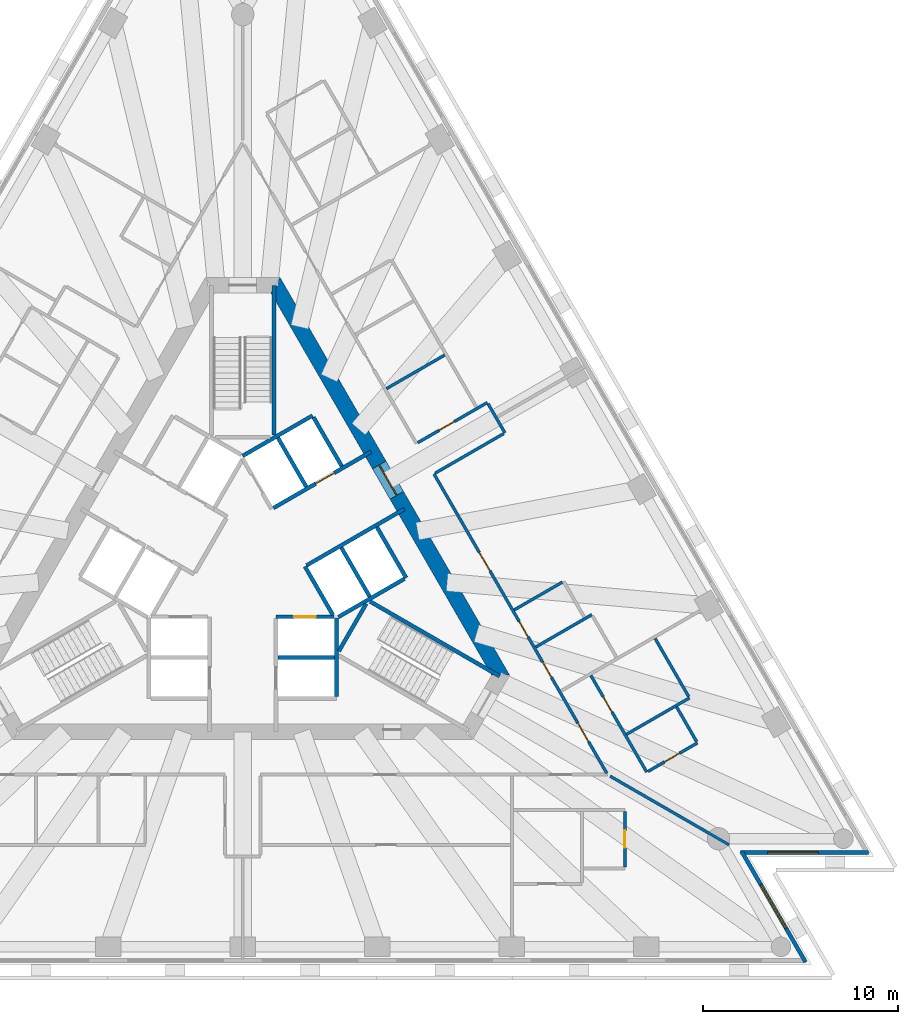
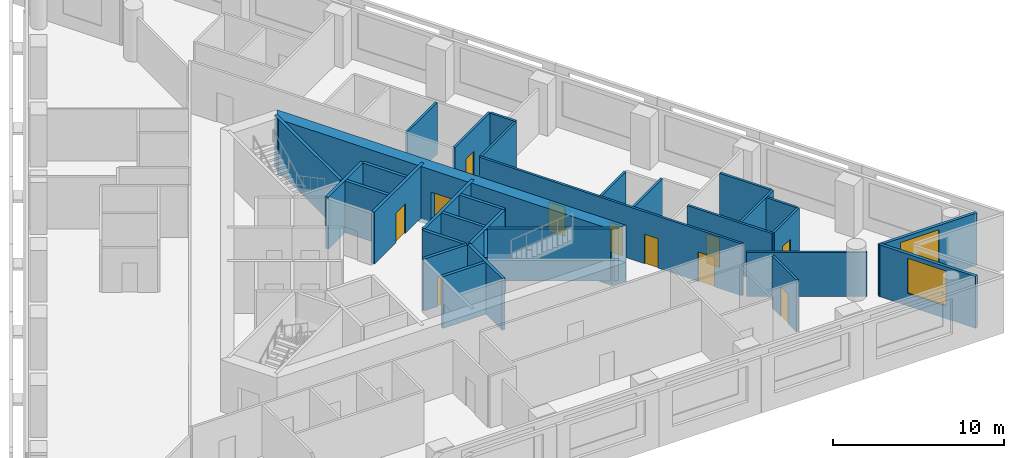
# One storey, part 5 of 10: 32 walls, 11 doors, 2 windows, 13 openings.
"""IFC4 building model written with IfcOpenShell, lengths in metres."""

from ifc_helpers import new_model, si_unit, direction, frame, frame_2d, origin, place, context, subcontext, project, spatial, polyline, rectangle, outline, extrude, material, layer, layer_set, layer_usage, type_object, element, fill, save


model = new_model("IFC4")

# Units and contexts
model_context = context("Model", 3, precision=1e-05, world=origin(), true_north=direction((0.0, 1.0)))
body_context = subcontext(model_context, "Body", "Model", "MODEL_VIEW")
ifc_project = project(units=[si_unit("LENGTHUNIT", "METRE"), si_unit("AREAUNIT", "SQUARE_METRE"), si_unit("VOLUMEUNIT", "CUBIC_METRE"), si_unit("PLANEANGLEUNIT", "RADIAN"), si_unit("MASSUNIT", "GRAM", prefix="KILO")], contexts=[model_context])

# Site, building, storey
site_placement = place(None, origin())
site = spatial("IfcSite", under=ifc_project, at=site_placement, CompositionType="ELEMENT")
building_placement = place(site_placement, origin())
building = spatial("IfcBuilding", under=site, at=building_placement, Name="Triada Interchange Tower", CompositionType="ELEMENT")
storey_placement = place(building_placement, frame((0.0, 0.0, 116.300048828125)))
storey = spatial("IfcBuildingStorey", under=building, at=storey_placement, Name="L26", CompositionType="ELEMENT", Elevation=116.300048828125)

# Wall
ifc_material_1 = material(Name="Concrete C30/37", Category="concrete")
ifc_layer_1 = layer(ifc_material_1, 0.199951171875)
ifc_layer_set_1 = layer_set([ifc_layer_1], Name="CORE WALL 200 EI 120")
wall_type_1 = type_object("IfcWallType", Name="CORE WALL 200 EI 120", PredefinedType="SOLIDWALL", material=ifc_layer_set_1)
wall_1_placement = place(storey_placement, frame((1.800048828125, -4.800048828125, 0.0), z_axis=(0.0, 0.0, 1.0), x_axis=(1.0, 0.0, 0.0)))
element("IfcWall", 1, at=wall_1_placement, inside=storey, type_object=wall_type_1, Name="Wall L26 63", PredefinedType="SOLIDWALL", context=body_context, shape_type="SweptSolid", body=[
    extrude(rectangle(XDim=2.89990234375, YDim=0.199951171875, at=frame_2d((1.449951171875, 0.0))), origin(), (0.0, 0.0, 1.0), 3.699951171875),
])

# Wall, opening, door
wall_2_placement = place(storey_placement, frame((1.702880859375, -2.699951171875, 0.0), z_axis=(0.0, 0.0, 1.0), x_axis=(1.0, 0.0, 0.0)))
wall_2 = element("IfcWall", 2, at=wall_2_placement, inside=storey, type_object=wall_type_1, Name="Wall L26 69", PredefinedType="SOLIDWALL", context=body_context, shape_type="SweptSolid", body=[
    extrude(rectangle(XDim=2.97314453125, YDim=0.199951171875, at=frame_2d((1.486572265625, 0.0))), origin(), (0.0, 0.0, 1.0), 3.699951171875),
])
opening_1_placement = place(wall_2_placement, frame((0.93603515625, 0.0, 0.0)))
opening_1 = element("IfcOpeningElement", 3, at=opening_1_placement, cuts=wall_2, Name="Opening LD-LR1", PredefinedType="OPENING", context=body_context, shape_type="SweptSolid", body=[
    extrude(rectangle(XDim=1.10009765625, YDim=2.10009765625, at=frame_2d((0.550048828125, 1.050048828125))), frame((0.0, 0.10986328125, 0.0), z_axis=(0.0, -1.0, 0.0), x_axis=(1.0, 0.0, 0.0)), (0.0, 0.0, 1.0), 0.219970703125),
])
ifc_material_2 = material(Name="Steel S235 door leaf", Category="steel")
door_type_1 = type_object("IfcDoorType", Name="LIFT LANDING DOOR 1100 EI 120", OperationType="SLIDING_TO_LEFT", PredefinedType="DOOR", material=ifc_material_2)
door_1_placement = place(opening_1_placement, origin())
door_1 = element("IfcDoor", 4, at=door_1_placement, inside=storey, type_object=door_type_1, Name="LR1 landing door L26", OperationType="SLIDING_TO_LEFT", OverallHeight=2.10009765625, OverallWidth=1.10009765625, PredefinedType="DOOR", context=body_context, shape_type="SweptSolid", body=[
    extrude(rectangle(XDim=1.10009765625, YDim=2.10009765625, at=frame_2d((0.550048828125, 1.050048828125))), frame((0.0, 0.02490234375, 0.0), z_axis=(0.0, -1.0, 0.0), x_axis=(1.0, 0.0, 0.0)), (0.0, 0.0, 1.0), 0.050048828125),
])
fill(opening_1, door_1)

# Walls
wall_3_placement = place(storey_placement, frame((-0.001953125, 5.541015625, 0.0), z_axis=(0.0, 0.0, 1.0), x_axis=(0.86600155993, 0.500041296494, 0.0)))
element("IfcWall", 5, at=wall_3_placement, inside=storey, type_object=wall_type_1, Name="Wall L26 70", PredefinedType="SOLIDWALL", context=body_context, shape_type="SweptSolid", body=[
    extrude(rectangle(XDim=4.131591796875, YDim=0.199951171875, at=frame_2d((2.06591796875, 0.0))), origin(), (0.0, 0.0, 1.0), 3.699951171875),
])
wall_4_placement = place(storey_placement, frame((3.18994140625, -0.125, 0.0), z_axis=(0.0, 0.0, 1.0), x_axis=(0.499988658015, -0.866031951983, 0.0)))
element("IfcWall", 6, at=wall_4_placement, inside=storey, type_object=wall_type_1, Name="Wall L26 72", PredefinedType="SOLIDWALL", context=body_context, shape_type="SweptSolid", body=[
    extrude(rectangle(XDim=2.85791015625, YDim=0.199951171875, at=frame_2d((1.428955078125, 0.0))), origin(), (0.0, 0.0, 1.0), 3.699951171875),
])

# Wall, opening, door
wall_5_placement = place(storey_placement, frame((1.576904296875, 2.8740234375, 0.0), z_axis=(0.0, 0.0, 1.0), x_axis=(0.866073694534, 0.499916348638, 0.0)))
wall_5 = element("IfcWall", 7, at=wall_5_placement, inside=storey, type_object=wall_type_1, Name="Wall L26 73", PredefinedType="SOLIDWALL", context=body_context, shape_type="SweptSolid", body=[
    extrude(rectangle(XDim=5.77685546875, YDim=0.199951171875, at=frame_2d((2.888427734375, 0.0))), origin(), (0.0, 0.0, 1.0), 3.699951171875),
])
opening_2_placement = place(wall_5_placement, frame((2.4970703125, 0.0, 0.0)))
opening_2 = element("IfcOpeningElement", 8, at=opening_2_placement, cuts=wall_5, Name="Opening LD-LR6", PredefinedType="OPENING", context=body_context, shape_type="SweptSolid", body=[
    extrude(rectangle(XDim=1.10009765625, YDim=2.10009765625, at=frame_2d((0.550048828125, 1.050048828125))), frame((0.0, 0.10986328125, 0.0), z_axis=(0.0, -1.0, 0.0), x_axis=(1.0, 0.0, 0.0)), (0.0, 0.0, 1.0), 0.219970703125),
])
door_2_placement = place(opening_2_placement, origin())
door_2 = element("IfcDoor", 9, at=door_2_placement, inside=storey, type_object=door_type_1, Name="LR6 landing door L26", OperationType="SLIDING_TO_LEFT", OverallHeight=2.10009765625, OverallWidth=1.10009765625, PredefinedType="DOOR", context=body_context, shape_type="SweptSolid", body=[
    extrude(rectangle(XDim=1.10009765625, YDim=2.10009765625, at=frame_2d((0.550048828125, 1.050048828125))), frame((0.0, 0.02490234375, 0.0), z_axis=(0.0, -1.0, 0.0), x_axis=(1.0, 0.0, 0.0)), (0.0, 0.0, 1.0), 0.050048828125),
])
fill(opening_2, door_2)

# Walls
wall_6_placement = place(storey_placement, frame((4.800048828125, -6.800048828125, 0.0), z_axis=(0.0, 0.0, 1.0), x_axis=(0.0, 1.0, 0.0)))
element("IfcWall", 10, at=wall_6_placement, inside=storey, type_object=wall_type_1, Name="Wall L26 75", PredefinedType="SOLIDWALL", context=body_context, shape_type="SweptSolid", body=[
    extrude(rectangle(XDim=4.029052734375, YDim=0.199951171875, at=frame_2d((2.0146484375, 0.0))), origin(), (0.0, 0.0, 1.0), 3.699951171875),
])
wall_7_placement = place(storey_placement, frame((3.278076171875, -0.071044921875, 0.0), z_axis=(0.0, 0.0, 1.0), x_axis=(0.865929348003, 0.5001663366, 0.0)))
element("IfcWall", 11, at=wall_7_placement, inside=storey, type_object=wall_type_1, Name="Wall L26 76", PredefinedType="SOLIDWALL", context=body_context, shape_type="SweptSolid", body=[
    extrude(rectangle(XDim=5.7763671875, YDim=0.199951171875, at=frame_2d((2.88818359375, 0.0))), origin(), (0.0, 0.0, 1.0), 3.699951171875),
])
wall_8_placement = place(storey_placement, frame((3.6259765625, 7.52001953125, 0.0), z_axis=(0.0, 0.0, 1.0), x_axis=(0.500060147554, -0.865990674793, 0.0)))
element("IfcWall", 12, at=wall_8_placement, inside=storey, type_object=wall_type_1, Name="Wall L26 77", PredefinedType="SOLIDWALL", context=body_context, shape_type="SweptSolid", body=[
    extrude(rectangle(XDim=2.899658203125, YDim=0.199951171875, at=frame_2d((1.44970703125, 0.0))), origin(), (0.0, 0.0, 1.0), 3.699951171875),
])
wall_9_placement = place(storey_placement, frame((6.8759765625, 1.89111328125, 0.0), z_axis=(0.0, 0.0, 1.0), x_axis=(0.499990139034, -0.866031096941, 0.0)))
element("IfcWall", 13, at=wall_9_placement, inside=storey, type_object=wall_type_1, Name="Wall L26 78", PredefinedType="SOLIDWALL", context=body_context, shape_type="SweptSolid", body=[
    extrude(rectangle(XDim=3.0, YDim=0.199951171875, at=frame_2d((1.5, 0.0))), origin(), (0.0, 0.0, 1.0), 3.699951171875),
])
for number, where, z_axis, x_axis, name in (
    (14, (1.806884765625, 6.469970703125, 0.0), (0.0, 0.0, 1.0), (0.50012328804, -0.865954211699, 0.0), "Wall L26 79"),
    (15, (5.056884765625, 0.841064453125, 0.0), (0.0, 0.0, 1.0), (0.50012328804, -0.865954211699, 0.0), "Wall L26 80"),
):
    element("IfcWall", number, at=place(storey_placement, frame(where, z_axis=z_axis, x_axis=x_axis)), inside=storey, type_object=wall_type_1, Name=name, PredefinedType="SOLIDWALL", context=body_context, shape_type="SweptSolid", body=[
        extrude(rectangle(XDim=2.899658203125, YDim=0.199951171875, at=frame_2d((1.44970703125, 0.0))), origin(), (0.0, 0.0, 1.0), 3.699951171875),
    ])
wall_10_placement = place(storey_placement, frame((4.89990234375, -2.714111328125, 0.0), z_axis=(0.0, 0.0, 1.0), x_axis=(0.865992350556, 0.500057245502, 0.0)))
element("IfcWall", 16, at=wall_10_placement, inside=storey, type_object=wall_type_1, Name="Wall L26 81", PredefinedType="SOLIDWALL", context=body_context, shape_type="SweptSolid", body=[
    extrude(rectangle(XDim=3.91357421875, YDim=0.199951171875, at=frame_2d((1.956787109375, 0.0))), origin(), (0.0, 0.0, 1.0), 3.699951171875),
])
ifc_layer_2 = layer(ifc_material_1, 0.199951171875)
ifc_layer_set_2 = layer_set([ifc_layer_2], Name="CORE WALL 200 REI 240")
wall_type_2 = type_object("IfcWallType", Name="CORE WALL 200 REI 240", PredefinedType="SOLIDWALL", material=ifc_layer_set_2)
wall_11_placement = place(storey_placement, frame((1.60009765625, 6.614990234375, 0.0), z_axis=(0.0, 0.0, 1.0), x_axis=(0.0, 1.0, 0.0)))
element("IfcWall", 17, at=wall_11_placement, inside=storey, type_object=wall_type_2, Name="Wall L26 100", PredefinedType="SOLIDWALL", context=body_context, shape_type="SweptSolid", body=[
    extrude(rectangle(XDim=7.6650390625, YDim=0.199951171875, at=frame_2d((3.83251953125, 0.0))), origin(), (0.0, 0.0, 1.0), 3.699951171875),
])
wall_12_placement = place(storey_placement, frame((4.928955078125, -4.4619140625, 0.0), z_axis=(0.0, 0.0, 1.0), x_axis=(0.500200581029, 0.865909567298, 0.0)))
element("IfcWall", 18, at=wall_12_placement, inside=storey, type_object=wall_type_2, Name="Wall L26 104", PredefinedType="SOLIDWALL", context=body_context, shape_type="SweptSolid", body=[
    extrude(rectangle(XDim=2.799072265625, YDim=0.199951171875, at=frame_2d((1.3994140625, 0.0))), origin(), (0.0, 0.0, 1.0), 3.699951171875),
])
wall_13_placement = place(storey_placement, frame((6.529052734375, -1.922119140625, 0.0), z_axis=(0.0, 0.0, 1.0), x_axis=(0.866060938598, -0.499938446846, 0.0)))
element("IfcWall", 19, at=wall_13_placement, inside=storey, type_object=wall_type_2, Name="Wall L26 105", PredefinedType="SOLIDWALL", context=body_context, shape_type="SweptSolid", body=[
    extrude(rectangle(XDim=7.66455078125, YDim=0.199951171875, at=frame_2d((3.832275390625, 0.0))), origin(), (0.0, 0.0, 1.0), 3.699951171875),
])

# Wall, opening, door
ifc_material_3 = material(Name="Concrete C60/75", Category="concrete")
ifc_layer_3 = layer(ifc_material_3, 0.800048828125)
ifc_layer_set_3 = layer_set([ifc_layer_3], Name="Core wall B 800")
wall_type_3 = type_object("IfcWallType", Name="Core wall B 800", PredefinedType="SHEAR", material=ifc_layer_set_3)
wall_14_placement = place(storey_placement, frame((13.220947265625, -5.699951171875, -0.300048828125), z_axis=(0.0, 0.0, 1.0), x_axis=(-0.499995765644, 0.866027848477, 0.0)))
wall_14 = element("IfcWall", 20, at=wall_14_placement, inside=storey, type_object=wall_type_3, Name="Core wall WB06 L26", PredefinedType="SHEAR", context=body_context, shape_type="SweptSolid", body=[
    extrude(outline(polyline([(-0.23095703125, -0.39990234375), (1.73193359375, -0.39990234375), (3.695068359375, -0.39990234375), (5.657958984375, -0.39990234375), (7.62109375, -0.39990234375), (9.583984375, -0.39990234375), (11.546875, -0.39990234375), (13.510009765625, -0.39990234375), (15.472900390625, -0.39990234375), (17.43603515625, -0.39990234375), (19.39892578125, -0.39990234375), (21.362060546875, -0.39990234375), (23.324951171875, -0.39990234375), (22.863037109375, 0.39990234375), (20.97705078125, 0.39990234375), (19.091064453125, 0.39990234375), (17.205078125, 0.39990234375), (15.319091796875, 0.39990234375), (13.43310546875, 0.39990234375), (11.546875, 0.39990234375), (9.660888671875, 0.39990234375), (7.77490234375, 0.39990234375), (5.888916015625, 0.39990234375), (4.0029296875, 0.39990234375), (2.116943359375, 0.39990234375), (0.23095703125, 0.39990234375), (-0.23095703125, -0.39990234375)])), origin(), (0.0, 0.0, 1.0), 4.0),
])
opening_3_placement = place(wall_14_placement, frame((10.64697265625, 0.0, 0.300048828125)))
opening_3 = element("IfcOpeningElement", 21, at=opening_3_placement, cuts=wall_14, Name="Opening D26-40", PredefinedType="OPENING", context=body_context, shape_type="SweptSolid", body=[
    extrude(rectangle(XDim=1.800048828125, YDim=2.10009765625, at=frame_2d((0.89990234375, 1.050048828125))), frame((0.0, 0.409912109375, 0.0), z_axis=(0.0, -1.0, 0.0), x_axis=(1.0, 0.0, 0.0)), (0.0, 0.0, 1.0), 0.820068359375),
])
door_type_2 = type_object("IfcDoorType", Name="LOBBY DOOR 1800 EI2 90-C5S200", OperationType="DOUBLE_DOOR_SINGLE_SWING", PredefinedType="DOOR", material=ifc_material_2)
door_3_placement = place(opening_3_placement, origin())
door_3 = element("IfcDoor", 22, at=door_3_placement, inside=storey, type_object=door_type_2, Name="Door D26-40 L26", OperationType="DOUBLE_DOOR_SINGLE_SWING", OverallHeight=2.10009765625, OverallWidth=1.800048828125, PredefinedType="DOOR", context=body_context, shape_type="SweptSolid", body=[
    extrude(rectangle(XDim=1.800048828125, YDim=2.10009765625, at=frame_2d((0.89990234375, 1.050048828125))), frame((0.0, 0.02490234375, 0.0), z_axis=(0.0, -1.0, 0.0), x_axis=(1.0, 0.0, 0.0)), (0.0, 0.0, 1.0), 0.050048828125),
])
fill(opening_3, door_3)

# Wall, opening, window
ifc_material_4 = material(Name="Cement board")
ifc_layer_4 = layer(ifc_material_4, 0.02001953125, Name="Cement board cladding")
ifc_material_5 = material(Name="Sheathing board")
ifc_layer_5 = layer(ifc_material_5, 0.014892578125, Name="Sheathing board")
ifc_material_6 = material(Name="Mineral wool")
ifc_layer_6 = layer(ifc_material_6, 0.14990234375, Name="Mineral wool between steel studs")
ifc_material_7 = material(Name="Gypsum board")
ifc_layer_7 = layer(ifc_material_7, 0.014892578125, Name="Plasterboard lining")
ifc_layer_set_4 = layer_set([ifc_layer_4, ifc_layer_5, ifc_layer_6, ifc_layer_7], Name="External wall 200")
ifc_layer_usage = layer_usage(ifc_layer_set_4, "AXIS2", "POSITIVE", -0.10009765625)
wall_type_4 = type_object("IfcWallType", Name="External wall 200", PredefinedType="ELEMENTEDWALL", material=ifc_layer_set_4)
wall_15_placement = place(storey_placement, frame((28.84912109375, -20.402099609375, 0.0), z_axis=(0.0, 0.0, 1.0), x_axis=(-0.500066121085, 0.865987225393, 0.0)))
wall_15 = element("IfcWall", 23, at=wall_15_placement, inside=storey, type_object=wall_type_4, material=ifc_layer_usage, Name="External wall L26 SE-1", PredefinedType="ELEMENTEDWALL", context=body_context, shape_type="SweptSolid", body=[
    extrude(rectangle(XDim=6.55908203125, YDim=0.199951171875, at=frame_2d((3.279541015625, 0.0))), origin(), (0.0, 0.0, 1.0), 3.699951171875),
])
opening_4_placement = place(wall_15_placement, frame((1.989990234375, 0.0, 0.89990234375)))
opening_4 = element("IfcOpeningElement", 24, at=opening_4_placement, cuts=wall_15, Name="Opening WB19", PredefinedType="OPENING", context=body_context, shape_type="SweptSolid", body=[
    extrude(rectangle(XDim=2.60009765625, YDim=2.5, at=frame_2d((1.300048828125, 1.25))), frame((0.0, 0.10986328125, 0.0), z_axis=(0.0, -1.0, 0.0), x_axis=(1.0, 0.0, 0.0)), (0.0, 0.0, 1.0), 0.219970703125),
])
ifc_material_8 = material(Name="Double glazed aluminium window", Category="aluminium")
window_type = type_object("IfcWindowType", Name="Ribbon window B pocket", PartitioningType="SINGLE_PANEL", PredefinedType="WINDOW", material=ifc_material_8)
window_1_placement = place(opening_4_placement, origin())
window_1 = element("IfcWindow", 25, at=window_1_placement, inside=storey, type_object=window_type, Name="Window L26 SE-1 1", OverallHeight=2.5, OverallWidth=2.60009765625, PartitioningType="SINGLE_PANEL", PredefinedType="WINDOW", context=body_context, shape_type="SweptSolid", body=[
    extrude(rectangle(XDim=2.60009765625, YDim=2.5, at=frame_2d((1.300048828125, 1.25))), frame((0.0, 0.030029296875, 0.0), z_axis=(0.0, -1.0, 0.0), x_axis=(1.0, 0.0, 0.0)), (0.0, 0.0, 1.0), 0.06005859375),
])
fill(opening_4, window_1)

wall_16_placement = place(storey_placement, frame((25.513916015625, -14.782958984375, 0.0), z_axis=(0.0, 0.0, 1.0), x_axis=(1.0, 0.0, 0.0)))
wall_16 = element("IfcWall", 26, at=wall_16_placement, inside=storey, type_object=wall_type_4, material=ifc_layer_usage, Name="External wall L26 SE-2", PredefinedType="ELEMENTEDWALL", context=body_context, shape_type="SweptSolid", body=[
    extrude(rectangle(XDim=6.55908203125, YDim=0.199951171875, at=frame_2d((3.279541015625, 0.0))), origin(), (0.0, 0.0, 1.0), 3.699951171875),
])
opening_5_placement = place(wall_16_placement, frame((1.389892578125, 0.0, 0.89990234375)))
opening_5 = element("IfcOpeningElement", 27, at=opening_5_placement, cuts=wall_16, Name="Opening WB20", PredefinedType="OPENING", context=body_context, shape_type="SweptSolid", body=[
    extrude(rectangle(XDim=2.60009765625, YDim=2.5, at=frame_2d((1.300048828125, 1.25))), frame((0.0, 0.10986328125, 0.0), z_axis=(0.0, -1.0, 0.0), x_axis=(1.0, 0.0, 0.0)), (0.0, 0.0, 1.0), 0.219970703125),
])
window_2_placement = place(opening_5_placement, origin())
window_2 = element("IfcWindow", 28, at=window_2_placement, inside=storey, type_object=window_type, Name="Window L26 SE-2 1", OverallHeight=2.5, OverallWidth=2.60009765625, PartitioningType="SINGLE_PANEL", PredefinedType="WINDOW", context=body_context, shape_type="SweptSolid", body=[
    extrude(rectangle(XDim=2.60009765625, YDim=2.5, at=frame_2d((1.300048828125, 1.25))), frame((0.0, 0.030029296875, 0.0), z_axis=(0.0, -1.0, 0.0), x_axis=(1.0, 0.0, 0.0)), (0.0, 0.0, 1.0), 0.06005859375),
])
fill(opening_5, window_2)

# Wall, openings, doors
ifc_material_9 = material(Name="Gypsum board partition")
ifc_layer_8 = layer(ifc_material_9, 0.14990234375)
ifc_layer_set_5 = layer_set([ifc_layer_8], Name="PARTITION 150 EI 180")
wall_type_5 = type_object("IfcWallType", Name="PARTITION 150 EI 180", PredefinedType="PARTITIONING", material=ifc_layer_set_5)
wall_17_placement = place(storey_placement, frame((9.802978515625, 4.6201171875, 0.0), z_axis=(0.0, 0.0, 1.0), x_axis=(0.500023004316, -0.866012121829, 0.0)))
wall_17 = element("IfcWall", 29, at=wall_17_placement, inside=storey, type_object=wall_type_5, Name="Wall L26 25", PredefinedType="PARTITIONING", context=body_context, shape_type="SweptSolid", body=[
    extrude(rectangle(XDim=17.719482421875, YDim=0.14990234375, at=frame_2d((8.85986328125, 0.0))), origin(), (0.0, 0.0, 1.0), 3.699951171875),
])
opening_6_placement = place(wall_17_placement, frame((14.756103515625, 0.0, 0.0)))
opening_6 = element("IfcOpeningElement", 30, at=opening_6_placement, cuts=wall_17, Name="Opening D26-21", PredefinedType="OPENING", context=body_context, shape_type="SweptSolid", body=[
    extrude(rectangle(XDim=1.10009765625, YDim=2.10009765625, at=frame_2d((0.550048828125, 1.050048828125))), frame((0.0, 0.0849609375, 0.0), z_axis=(0.0, -1.0, 0.0), x_axis=(1.0, 0.0, 0.0)), (0.0, 0.0, 1.0), 0.169921875),
])
opening_7_placement = place(wall_17_placement, frame((4.64501953125, 0.0, 0.0)))
opening_7 = element("IfcOpeningElement", 31, at=opening_7_placement, cuts=wall_17, Name="Opening D26-24", PredefinedType="OPENING", context=body_context, shape_type="SweptSolid", body=[
    extrude(rectangle(XDim=1.10009765625, YDim=2.10009765625, at=frame_2d((0.550048828125, 1.050048828125))), frame((0.0, 0.0849609375, 0.0), z_axis=(0.0, -1.0, 0.0), x_axis=(1.0, 0.0, 0.0)), (0.0, 0.0, 1.0), 0.169921875),
])
opening_8_placement = place(wall_17_placement, frame((11.14501953125, 0.0, 0.0)))
opening_8 = element("IfcOpeningElement", 32, at=opening_8_placement, cuts=wall_17, Name="Opening D26-25", PredefinedType="OPENING", context=body_context, shape_type="SweptSolid", body=[
    extrude(rectangle(XDim=0.89990234375, YDim=2.10009765625, at=frame_2d((0.449951171875, 1.050048828125))), frame((0.0, 0.0849609375, 0.0), z_axis=(0.0, -1.0, 0.0), x_axis=(1.0, 0.0, 0.0)), (0.0, 0.0, 1.0), 0.169921875),
])
opening_9_placement = place(wall_17_placement, frame((8.7451171875, 0.0, 0.0)))
opening_9 = element("IfcOpeningElement", 33, at=opening_9_placement, cuts=wall_17, Name="Opening D26-26", PredefinedType="OPENING", context=body_context, shape_type="SweptSolid", body=[
    extrude(rectangle(XDim=0.89990234375, YDim=2.10009765625, at=frame_2d((0.449951171875, 1.050048828125))), frame((0.0, 0.0849609375, 0.0), z_axis=(0.0, -1.0, 0.0), x_axis=(1.0, 0.0, 0.0)), (0.0, 0.0, 1.0), 0.169921875),
])
door_type_3 = type_object("IfcDoorType", Name="ROOM DOOR 900 EI2 90-C5S200", OperationType="NOTDEFINED", PredefinedType="DOOR", material=ifc_material_2)
door_4_placement = place(opening_8_placement, origin())
door_4 = element("IfcDoor", 34, at=door_4_placement, inside=storey, type_object=door_type_3, Name="Door D26-25 L26", OperationType="SINGLE_SWING_LEFT", OverallHeight=2.10009765625, OverallWidth=0.89990234375, PredefinedType="DOOR", context=body_context, shape_type="SweptSolid", body=[
    extrude(rectangle(XDim=0.89990234375, YDim=2.10009765625, at=frame_2d((0.449951171875, 1.050048828125))), frame((0.0, 0.02490234375, 0.0), z_axis=(0.0, -1.0, 0.0), x_axis=(1.0, 0.0, 0.0)), (0.0, 0.0, 1.0), 0.050048828125),
])
fill(opening_8, door_4)
door_type_4 = type_object("IfcDoorType", Name="SERVICE DOOR 900 EI2 90-C5S200", OperationType="NOTDEFINED", PredefinedType="DOOR", material=ifc_material_2)
door_5_placement = place(opening_9_placement, origin())
door_5 = element("IfcDoor", 35, at=door_5_placement, inside=storey, type_object=door_type_4, Name="Door D26-26 L26", OperationType="SINGLE_SWING_LEFT", OverallHeight=2.10009765625, OverallWidth=0.89990234375, PredefinedType="DOOR", context=body_context, shape_type="SweptSolid", body=[
    extrude(rectangle(XDim=0.89990234375, YDim=2.10009765625, at=frame_2d((0.449951171875, 1.050048828125))), frame((0.0, 0.02490234375, 0.0), z_axis=(0.0, -1.0, 0.0), x_axis=(1.0, 0.0, 0.0)), (0.0, 0.0, 1.0), 0.050048828125),
])
fill(opening_9, door_5)
door_type_5 = type_object("IfcDoorType", Name="TENANCY ENTRANCE DOOR 1100 EI2 90-C5S200", OperationType="NOTDEFINED", PredefinedType="DOOR", material=ifc_material_2)
door_6_placement = place(opening_6_placement, origin())
door_6 = element("IfcDoor", 36, at=door_6_placement, inside=storey, type_object=door_type_5, Name="Door D26-21 L26", OperationType="SINGLE_SWING_RIGHT", OverallHeight=2.10009765625, OverallWidth=1.10009765625, PredefinedType="DOOR", context=body_context, shape_type="SweptSolid", body=[
    extrude(rectangle(XDim=1.10009765625, YDim=2.10009765625, at=frame_2d((0.550048828125, 1.050048828125))), frame((0.0, 0.02490234375, 0.0), z_axis=(0.0, -1.0, 0.0), x_axis=(1.0, 0.0, 0.0)), (0.0, 0.0, 1.0), 0.050048828125),
])
fill(opening_6, door_6)
door_7_placement = place(opening_7_placement, origin())
door_7 = element("IfcDoor", 37, at=door_7_placement, inside=storey, type_object=door_type_5, Name="Door D26-24 L26", OperationType="SINGLE_SWING_LEFT", OverallHeight=2.10009765625, OverallWidth=1.10009765625, PredefinedType="DOOR", context=body_context, shape_type="SweptSolid", body=[
    extrude(rectangle(XDim=1.10009765625, YDim=2.10009765625, at=frame_2d((0.550048828125, 1.050048828125))), frame((0.0, 0.02490234375, 0.0), z_axis=(0.0, -1.0, 0.0), x_axis=(1.0, 0.0, 0.0)), (0.0, 0.0, 1.0), 0.050048828125),
])
fill(opening_7, door_7)

# Wall
wall_18_placement = place(storey_placement, frame((7.367919921875, 8.989013671875, 0.0), z_axis=(0.0, 0.0, 1.0), x_axis=(0.866031223622, 0.49998991961, 0.0)))
element("IfcWall", 38, at=wall_18_placement, inside=storey, type_object=wall_type_5, Name="Wall L26 30", PredefinedType="PARTITIONING", context=body_context, shape_type="SweptSolid", body=[
    extrude(rectangle(XDim=3.4501953125, YDim=0.14990234375, at=frame_2d((1.72509765625, 0.0))), origin(), (0.0, 0.0, 1.0), 3.699951171875),
])

# Wall, opening, door
wall_19_placement = place(storey_placement, frame((8.968994140625, 6.218017578125, 0.0), z_axis=(0.0, 0.0, 1.0), x_axis=(0.865997263264, 0.500048737644, 0.0)))
wall_19 = element("IfcWall", 39, at=wall_19_placement, inside=storey, type_object=wall_type_5, Name="Wall L26 31", PredefinedType="PARTITIONING", context=body_context, shape_type="SweptSolid", body=[
    extrude(rectangle(XDim=4.12353515625, YDim=0.14990234375, at=frame_2d((2.061767578125, 0.0))), origin(), (0.0, 0.0, 1.0), 3.699951171875),
])
opening_10_placement = place(wall_19_placement, frame((1.27392578125, 0.0, 0.0)))
opening_10 = element("IfcOpeningElement", 40, at=opening_10_placement, cuts=wall_19, Name="Opening D26-28", PredefinedType="OPENING", context=body_context, shape_type="SweptSolid", body=[
    extrude(rectangle(XDim=0.89990234375, YDim=2.10009765625, at=frame_2d((0.449951171875, 1.050048828125))), frame((0.0, 0.0849609375, 0.0), z_axis=(0.0, -1.0, 0.0), x_axis=(1.0, 0.0, 0.0)), (0.0, 0.0, 1.0), 0.169921875),
])
door_8_placement = place(opening_10_placement, origin())
door_8 = element("IfcDoor", 41, at=door_8_placement, inside=storey, type_object=door_type_3, Name="Door D26-28 L26", OperationType="SINGLE_SWING_LEFT", OverallHeight=2.10009765625, OverallWidth=0.89990234375, PredefinedType="DOOR", context=body_context, shape_type="SweptSolid", body=[
    extrude(rectangle(XDim=0.89990234375, YDim=2.10009765625, at=frame_2d((0.449951171875, 1.050048828125))), frame((0.0, 0.02490234375, 0.0), z_axis=(0.0, -1.0, 0.0), x_axis=(1.0, 0.0, 0.0)), (0.0, 0.0, 1.0), 0.050048828125),
])
fill(opening_10, door_8)

# Walls
wall_20_placement = place(storey_placement, frame((12.577880859375, 8.215087890625, 0.0), z_axis=(0.0, 0.0, 1.0), x_axis=(0.499746958151, -0.866171448282, 0.0)))
element("IfcWall", 42, at=wall_20_placement, inside=storey, type_object=wall_type_5, Name="Wall L26 32", PredefinedType="PARTITIONING", context=body_context, shape_type="SweptSolid", body=[
    extrude(rectangle(XDim=1.72509765625, YDim=0.14990234375, at=frame_2d((0.862548828125, 0.0))), origin(), (0.0, 0.0, 1.0), 3.699951171875),
])
wall_21_placement = place(storey_placement, frame((9.868896484375, 4.658935546875, 0.0), z_axis=(0.0, 0.0, 1.0), x_axis=(0.866033948129, 0.499985200469, 0.0)))
element("IfcWall", 43, at=wall_21_placement, inside=storey, type_object=wall_type_5, Name="Wall L26 33", PredefinedType="PARTITIONING", context=body_context, shape_type="SweptSolid", body=[
    extrude(rectangle(XDim=4.04833984375, YDim=0.14990234375, at=frame_2d((2.024169921875, 0.0))), origin(), (0.0, 0.0, 1.0), 3.699951171875),
])
wall_22_placement = place(storey_placement, frame((13.916015625, -2.35302734375, 0.0), z_axis=(0.0, 0.0, 1.0), x_axis=(0.866004402611, 0.500036373335, 0.0)))
element("IfcWall", 44, at=wall_22_placement, inside=storey, type_object=wall_type_5, Name="Wall L26 36", PredefinedType="PARTITIONING", context=body_context, shape_type="SweptSolid", body=[
    extrude(rectangle(XDim=2.849853515625, YDim=0.14990234375, at=frame_2d((1.4248046875, 0.0))), origin(), (0.0, 0.0, 1.0), 3.699951171875),
])
wall_23_placement = place(storey_placement, frame((15.01611328125, -4.258056640625, 0.0), z_axis=(0.0, 0.0, 1.0), x_axis=(0.866029041019, 0.499993700073, 0.0)))
element("IfcWall", 45, at=wall_23_placement, inside=storey, type_object=wall_type_5, Name="Wall L26 37", PredefinedType="PARTITIONING", context=body_context, shape_type="SweptSolid", body=[
    extrude(rectangle(XDim=3.32421875, YDim=0.14990234375, at=frame_2d((1.662109375, 0.0))), origin(), (0.0, 0.0, 1.0), 3.699951171875),
])
wall_24_placement = place(storey_placement, frame((18.8349609375, -10.875, 0.0), z_axis=(0.0, 0.0, 1.0), x_axis=(0.866009336022, -0.500027829149, 0.0)))
element("IfcWall", 46, at=wall_24_placement, inside=storey, type_object=wall_type_5, Name="Wall L26 40", PredefinedType="PARTITIONING", context=body_context, shape_type="SweptSolid", body=[
    extrude(rectangle(XDim=7.03564453125, YDim=0.14990234375, at=frame_2d((3.517822265625, 0.0))), origin(), (0.0, 0.0, 1.0), 3.14990234375),
])

# Wall, opening, door
ifc_layer_9 = layer(ifc_material_9, 0.14990234375)
ifc_layer_set_6 = layer_set([ifc_layer_9], Name="PARTITION 150 EI 90")
wall_type_6 = type_object("IfcWallType", Name="PARTITION 150 EI 90", PredefinedType="PARTITIONING", material=ifc_layer_set_6)
wall_25_placement = place(storey_placement, frame((17.846923828125, -5.7119140625, 0.0), z_axis=(0.0, 0.0, 1.0), x_axis=(0.500069422629, -0.865985318901, 0.0)))
wall_25 = element("IfcWall", 47, at=wall_25_placement, inside=storey, type_object=wall_type_6, Name="Wall L26 50", PredefinedType="PARTITIONING", context=body_context, shape_type="SweptSolid", body=[
    extrude(rectangle(XDim=5.725341796875, YDim=0.14990234375, at=frame_2d((2.86279296875, 0.0))), origin(), (0.0, 0.0, 1.0), 3.699951171875),
])
opening_11_placement = place(wall_25_placement, frame((1.27587890625, 0.0, 0.0)))
opening_11 = element("IfcOpeningElement", 48, at=opening_11_placement, cuts=wall_25, Name="Opening D26-22", PredefinedType="OPENING", context=body_context, shape_type="SweptSolid", body=[
    extrude(rectangle(XDim=0.89990234375, YDim=2.10009765625, at=frame_2d((0.449951171875, 1.050048828125))), frame((0.0, 0.0849609375, 0.0), z_axis=(0.0, -1.0, 0.0), x_axis=(1.0, 0.0, 0.0)), (0.0, 0.0, 1.0), 0.169921875),
])
door_type_6 = type_object("IfcDoorType", Name="ROOM DOOR 900 EI2 45-C5S200", OperationType="NOTDEFINED", PredefinedType="DOOR", material=ifc_material_2)
door_9_placement = place(opening_11_placement, origin())
door_9 = element("IfcDoor", 49, at=door_9_placement, inside=storey, type_object=door_type_6, Name="Door D26-22 L26", OperationType="SINGLE_SWING_LEFT", OverallHeight=2.10009765625, OverallWidth=0.89990234375, PredefinedType="DOOR", context=body_context, shape_type="SweptSolid", body=[
    extrude(rectangle(XDim=0.89990234375, YDim=2.10009765625, at=frame_2d((0.449951171875, 1.050048828125))), frame((0.0, 0.02490234375, 0.0), z_axis=(0.0, -1.0, 0.0), x_axis=(1.0, 0.0, 0.0)), (0.0, 0.0, 1.0), 0.050048828125),
])
fill(opening_11, door_9)

wall_26_placement = place(storey_placement, frame((19.594970703125, -15.52490234375, 0.0), z_axis=(0.0, 0.0, 1.0), x_axis=(0.0, 1.0, 0.0)))
wall_26 = element("IfcWall", 50, at=wall_26_placement, inside=storey, type_object=wall_type_6, Name="Wall L26 55", PredefinedType="PARTITIONING", context=body_context, shape_type="SweptSolid", body=[
    extrude(rectangle(XDim=2.849853515625, YDim=0.14990234375, at=frame_2d((1.4248046875, 0.0))), origin(), (0.0, 0.0, 1.0), 3.699951171875),
])
opening_12_placement = place(wall_26_placement, frame((0.97509765625, 0.0, 0.0)))
opening_12 = element("IfcOpeningElement", 51, at=opening_12_placement, cuts=wall_26, Name="Opening D26-20", PredefinedType="OPENING", context=body_context, shape_type="SweptSolid", body=[
    extrude(rectangle(XDim=0.89990234375, YDim=2.10009765625, at=frame_2d((0.449951171875, 1.050048828125))), frame((0.0, 0.0849609375, 0.0), z_axis=(0.0, -1.0, 0.0), x_axis=(1.0, 0.0, 0.0)), (0.0, 0.0, 1.0), 0.169921875),
])
door_type_7 = type_object("IfcDoorType", Name="SERVICE DOOR 900 EI2 45-C5S200", OperationType="NOTDEFINED", PredefinedType="DOOR", material=ifc_material_2)
door_10_placement = place(opening_12_placement, origin())
door_10 = element("IfcDoor", 52, at=door_10_placement, inside=storey, type_object=door_type_7, Name="Door D26-20 L26", OperationType="SINGLE_SWING_RIGHT", OverallHeight=2.10009765625, OverallWidth=0.89990234375, PredefinedType="DOOR", context=body_context, shape_type="SweptSolid", body=[
    extrude(rectangle(XDim=0.89990234375, YDim=2.10009765625, at=frame_2d((0.449951171875, 1.050048828125))), frame((0.0, 0.02490234375, 0.0), z_axis=(0.0, -1.0, 0.0), x_axis=(1.0, 0.0, 0.0)), (0.0, 0.0, 1.0), 0.050048828125),
])
fill(opening_12, door_10)

# Walls
wall_27_placement = place(storey_placement, frame((19.675048828125, -8.72802734375, 0.0), z_axis=(0.0, 0.0, 1.0), x_axis=(0.865955274182, 0.500121448367, 0.0)))
element("IfcWall", 53, at=wall_27_placement, inside=storey, type_object=wall_type_6, Name="Wall L26 56", PredefinedType="PARTITIONING", context=body_context, shape_type="SweptSolid", body=[
    extrude(rectangle(XDim=3.72509765625, YDim=0.14990234375, at=frame_2d((1.862548828125, 0.0))), origin(), (0.0, 0.0, 1.0), 3.699951171875),
])
wall_28_placement = place(storey_placement, frame((21.137939453125, -3.81201171875, 0.0), z_axis=(0.0, 0.0, 1.0), x_axis=(0.49998991961, -0.866031223622, 0.0)))
element("IfcWall", 54, at=wall_28_placement, inside=storey, type_object=wall_type_6, Name="Wall L26 57", PredefinedType="PARTITIONING", context=body_context, shape_type="SweptSolid", body=[
    extrude(rectangle(XDim=3.4501953125, YDim=0.14990234375, at=frame_2d((1.72509765625, 0.0))), origin(), (0.0, 0.0, 1.0), 3.699951171875),
])

# Wall, opening, door
wall_29_placement = place(storey_placement, frame((20.77490234375, -10.633056640625, 0.0), z_axis=(0.0, 0.0, 1.0), x_axis=(0.865938168999, 0.50015106465, 0.0)))
wall_29 = element("IfcWall", 55, at=wall_29_placement, inside=storey, type_object=wall_type_6, Name="Wall L26 58", PredefinedType="PARTITIONING", context=body_context, shape_type="SweptSolid", body=[
    extrude(rectangle(XDim=2.92529296875, YDim=0.14990234375, at=frame_2d((1.462646484375, 0.0))), origin(), (0.0, 0.0, 1.0), 3.699951171875),
])
opening_13_placement = place(wall_29_placement, frame((0.97509765625, 0.0, 0.0)))
opening_13 = element("IfcOpeningElement", 56, at=opening_13_placement, cuts=wall_29, Name="Opening D26-23", PredefinedType="OPENING", context=body_context, shape_type="SweptSolid", body=[
    extrude(rectangle(XDim=0.89990234375, YDim=2.10009765625, at=frame_2d((0.449951171875, 1.050048828125))), frame((0.0, 0.0849609375, 0.0), z_axis=(0.0, -1.0, 0.0), x_axis=(1.0, 0.0, 0.0)), (0.0, 0.0, 1.0), 0.169921875),
])
door_11_placement = place(opening_13_placement, origin())
door_11 = element("IfcDoor", 57, at=door_11_placement, inside=storey, type_object=door_type_7, Name="Door D26-23 L26", OperationType="SINGLE_SWING_LEFT", OverallHeight=2.10009765625, OverallWidth=0.89990234375, PredefinedType="DOOR", context=body_context, shape_type="SweptSolid", body=[
    extrude(rectangle(XDim=0.89990234375, YDim=2.10009765625, at=frame_2d((0.449951171875, 1.050048828125))), frame((0.0, 0.02490234375, 0.0), z_axis=(0.0, -1.0, 0.0), x_axis=(1.0, 0.0, 0.0)), (0.0, 0.0, 1.0), 0.050048828125),
])
fill(opening_13, door_11)

# Wall
wall_30_placement = place(storey_placement, frame((22.2451171875, -7.330078125, 0.0), z_axis=(0.0, 0.0, 1.0), x_axis=(0.499853014394, -0.866110249334, 0.0)))
element("IfcWall", 58, at=wall_30_placement, inside=storey, type_object=wall_type_6, Name="Wall L26 59", PredefinedType="PARTITIONING", context=body_context, shape_type="SweptSolid", body=[
    extrude(rectangle(XDim=2.05029296875, YDim=0.14990234375, at=frame_2d((1.025146484375, 0.0))), origin(), (0.0, 0.0, 1.0), 3.699951171875),
])

save(model, "model.ifc")
